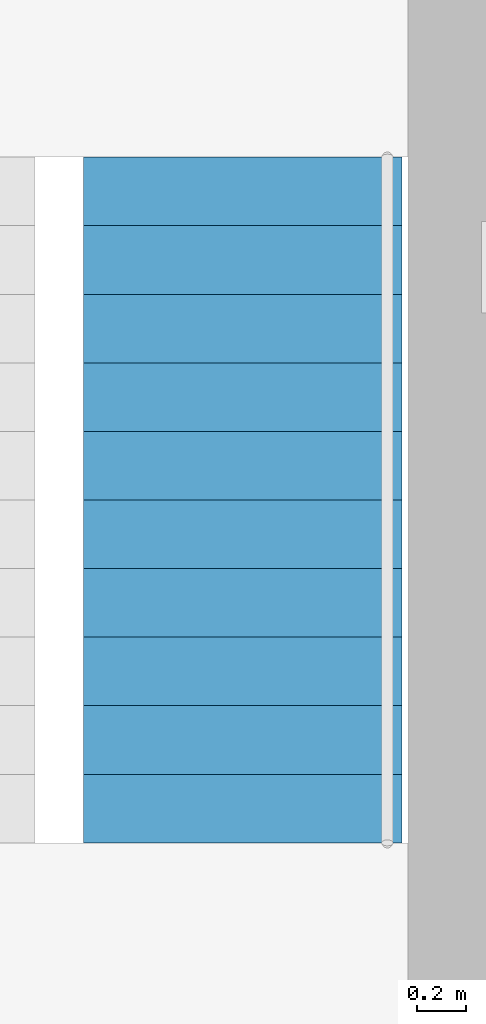
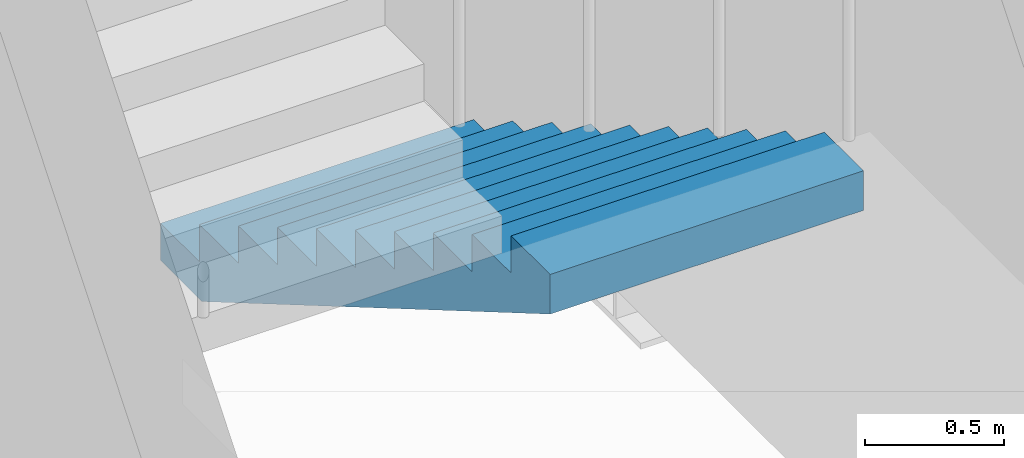
# One storey, part 9 of 12: 1 stair flight, 1 element without a shape of its own.
"""IFC4 building model written with IfcOpenShell, lengths in metres."""

from ifc_helpers import new_model, si_unit, direction, frame, origin, place, context, subcontext, project, spatial, polyline, outline, extrude, material, type_object, element, aggregate, save


model = new_model("IFC4")

# Units and contexts
model_context = context("Model", 3, precision=1e-05, world=origin(), true_north=direction((0.0, 1.0)))
body_context = subcontext(model_context, "Body", "Model", "MODEL_VIEW")
ifc_project = project(units=[si_unit("LENGTHUNIT", "METRE"), si_unit("AREAUNIT", "SQUARE_METRE"), si_unit("VOLUMEUNIT", "CUBIC_METRE"), si_unit("PLANEANGLEUNIT", "RADIAN"), si_unit("MASSUNIT", "GRAM", prefix="KILO")], contexts=[model_context])

# Site, building, storey
site_placement = place(None, origin())
site = spatial("IfcSite", under=ifc_project, at=site_placement, CompositionType="ELEMENT")
building_placement = place(site_placement, origin())
building = spatial("IfcBuilding", under=site, at=building_placement, Name="Loomwork Tower", CompositionType="ELEMENT")
storey_placement = place(building_placement, frame((0.0, 0.0, 237.39990234375)))
storey = spatial("IfcBuildingStorey", under=building, at=storey_placement, Name="L65", CompositionType="ELEMENT", Elevation=237.39990234375)

# Stair, stair flight
ifc_material_1 = material(Name="Concrete 5000 psi (34 MPa) precast stair", Category="concrete")
stair_type = type_object("IfcStairType", Name="Stair ST-B 22 risers 2850 wide", PredefinedType="HALF_TURN_STAIR", material=ifc_material_1)
stair_placement = place(storey_placement, origin())
stair = element("IfcStair", 1, at=stair_placement, inside=storey, type_object=stair_type, Name="Stair B L65", PredefinedType="HALF_TURN_STAIR")
ifc_material_2 = material(Name="Concrete 5000 psi (34 MPa) precast stair", Category="concrete")
stair_flight_type = type_object("IfcStairFlightType", Name="Stair flight ST-B 11 risers 1300 wide", PredefinedType="STRAIGHT", material=ifc_material_2)
stair_flight_placement = place(storey_placement, frame((32.925048828125, 18.449951171875, 0.0), z_axis=(0.0, 0.0, 1.0), x_axis=(0.0, -1.0, 0.0)))
stair_flight = element("IfcStairFlight", 2, at=stair_flight_placement, type_object=stair_flight_type, Name="ST-B flight 1", NumberOfRisers=11, NumberOfTreads=10, PredefinedType="STRAIGHT", RiserHeight=0.163636364, TreadLength=0.28, context=body_context, shape_type="SweptSolid", body=[
    extrude(outline(polyline([(0.0, 0.0), (0.0, 0.16357421875), (0.280029296875, 0.16357421875), (0.280029296875, 0.327392578125), (0.56005859375, 0.327392578125), (0.56005859375, 0.490966796875), (0.840087890625, 0.490966796875), (0.840087890625, 0.654541015625), (1.1201171875, 0.654541015625), (1.1201171875, 0.818115234375), (1.39990234375, 0.818115234375), (1.39990234375, 0.98193359375), (1.679931640625, 0.98193359375), (1.679931640625, 1.1455078125), (1.9599609375, 1.1455078125), (1.9599609375, 1.30908203125), (2.239990234375, 1.30908203125), (2.239990234375, 1.47265625), (2.52001953125, 1.47265625), (2.52001953125, 1.636474609375), (2.800048828125, 1.636474609375), (2.800048828125, 1.800048828125), (2.800048828125, 1.462646484375), (0.297119140625, 0.0), (0.0, 0.0)])), frame((0.0, 0.64990234375, 0.0), z_axis=(0.0, -1.0, 0.0), x_axis=(1.0, 0.0, 0.0)), (0.0, 0.0, 1.0), 1.300048828125),
])
aggregate(stair, [stair_flight])

save(model, "model.ifc")
